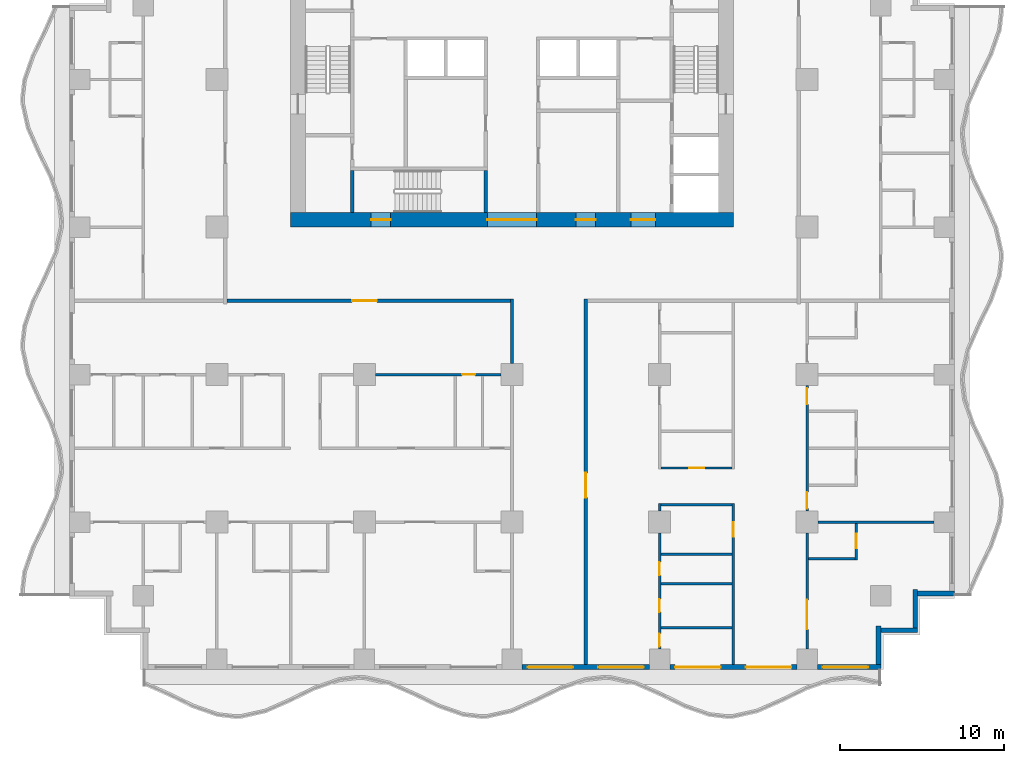
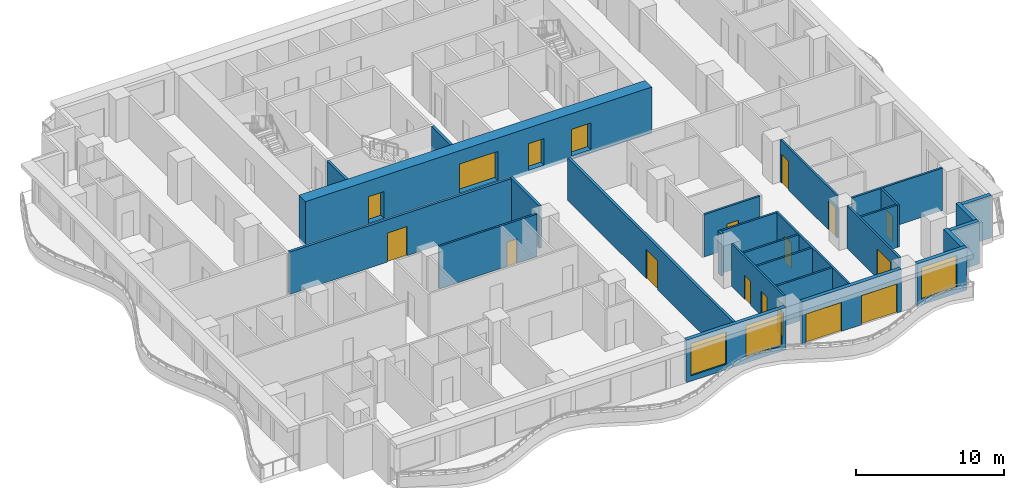
# One storey, part 3 of 14: 27 walls, 18 doors, 3 windows, 21 openings.
"""IFC4 building model written with IfcOpenShell, lengths in metres."""

from ifc_helpers import new_model, si_unit, direction, frame, frame_2d, origin, place, context, subcontext, project, spatial, rectangle, extrude, material, layer, layer_set, type_object, element, fill, save


model = new_model("IFC4")

# Units and contexts
model_context = context("Model", 3, precision=1e-05, world=origin(), true_north=direction((0.0, 1.0)))
body_context = subcontext(model_context, "Body", "Model", "MODEL_VIEW")
ifc_project = project(units=[si_unit("LENGTHUNIT", "METRE"), si_unit("AREAUNIT", "SQUARE_METRE"), si_unit("VOLUMEUNIT", "CUBIC_METRE"), si_unit("PLANEANGLEUNIT", "RADIAN"), si_unit("MASSUNIT", "GRAM", prefix="KILO")], contexts=[model_context])

# Site, building, storey
site_placement = place(None, origin())
site = spatial("IfcSite", under=ifc_project, at=site_placement, CompositionType="ELEMENT")
building_placement = place(site_placement, origin())
building = spatial("IfcBuilding", under=site, at=building_placement, Name="Orbiselva Terraces", CompositionType="ELEMENT")
storey_placement = place(building_placement, frame((0.0, 0.0, 103.6)))
storey = spatial("IfcBuildingStorey", under=building, at=storey_placement, Name="L26", CompositionType="ELEMENT", Elevation=103.6)

# Wall, openings, doors
ifc_material_1 = material(Name="Concrete C80/95", Category="concrete")
ifc_layer_1 = layer(ifc_material_1, 0.9)
ifc_layer_set_1 = layer_set([ifc_layer_1], Name="Concrete C80/95")
wall_type_1 = type_object("IfcWallType", Name="CORE WALL 900", PredefinedType="SHEAR", material=ifc_layer_set_1)
wall_1_placement = place(storey_placement, frame((-13.5, 4.95, -0.3), z_axis=(0.0, 0.0, 1.0), x_axis=(1.0, 0.0, 0.0)))
wall_1 = element("IfcWall", 1, at=wall_1_placement, inside=storey, type_object=wall_type_1, Name="Core wall L26 south", PredefinedType="SHEAR", context=body_context, shape_type="SweptSolid", body=[
    extrude(rectangle(XDim=27.0, YDim=0.9, at=frame_2d((13.5, 0.0))), origin(), (0.0, 0.0, 1.0), 3.8),
])
opening_1_placement = place(wall_1_placement, frame((12.0, 0.0, 0.3)))
opening_1 = element("IfcOpeningElement", 2, at=opening_1_placement, cuts=wall_1, Name="Opening DL3000", PredefinedType="OPENING", context=body_context, shape_type="SweptSolid", body=[
    extrude(rectangle(XDim=3.0, YDim=2.4, at=frame_2d((1.5, 1.2))), frame((0.0, 0.46, 0.0), z_axis=(0.0, -1.0, 0.0), x_axis=(1.0, 0.0, 0.0)), (0.0, 0.0, 1.0), 0.92),
])
opening_2_placement = place(wall_1_placement, frame((4.9, 0.0, 0.3)))
opening_2 = element("IfcOpeningElement", 3, at=opening_2_placement, cuts=wall_1, Name="Opening DS1200", PredefinedType="OPENING", context=body_context, shape_type="SweptSolid", body=[
    extrude(rectangle(XDim=1.2, YDim=2.2, at=frame_2d((0.6, 1.1))), frame((0.0, 0.46, 0.0), z_axis=(0.0, -1.0, 0.0), x_axis=(1.0, 0.0, 0.0)), (0.0, 0.0, 1.0), 0.92),
])
opening_3_placement = place(wall_1_placement, frame((20.75, 0.0, 0.3)))
opening_3 = element("IfcOpeningElement", 4, at=opening_3_placement, cuts=wall_1, Name="Opening DF1500", PredefinedType="OPENING", context=body_context, shape_type="SweptSolid", body=[
    extrude(rectangle(XDim=1.5, YDim=2.2, at=frame_2d((0.75, 1.1))), frame((0.0, 0.46, 0.0), z_axis=(0.0, -1.0, 0.0), x_axis=(1.0, 0.0, 0.0)), (0.0, 0.0, 1.0), 0.92),
])
opening_4_placement = place(wall_1_placement, frame((17.4, 0.0, 0.3)))
opening_4 = element("IfcOpeningElement", 5, at=opening_4_placement, cuts=wall_1, Name="Opening DV1200", PredefinedType="OPENING", context=body_context, shape_type="SweptSolid", body=[
    extrude(rectangle(XDim=1.2, YDim=2.2, at=frame_2d((0.6, 1.1))), frame((0.0, 0.46, 0.0), z_axis=(0.0, -1.0, 0.0), x_axis=(1.0, 0.0, 0.0)), (0.0, 0.0, 1.0), 0.92),
])
ifc_material_2 = material(Name="Steel fire door", Category="steel")
door_type_1 = type_object("IfcDoorType", Name="FFL DOOR 1500", OperationType="DOUBLE_DOOR_SINGLE_SWING", PredefinedType="DOOR", material=ifc_material_2)
door_1_placement = place(opening_3_placement, frame((1.5, 0.0, 0.0), z_axis=(0.0, 0.0, 1.0), x_axis=(-1.0, 0.0, 0.0)))
door_1 = element("IfcDoor", 6, at=door_1_placement, inside=storey, type_object=door_type_1, Name="L26 FIRE-FIGHTING LOBBY door", OperationType="DOUBLE_DOOR_SINGLE_SWING", OverallHeight=2.2, OverallWidth=1.5, PredefinedType="DOOR", context=body_context, shape_type="SweptSolid", body=[
    extrude(rectangle(XDim=1.5, YDim=2.2, at=frame_2d((0.75, 1.1))), frame((0.0, 0.025, 0.0), z_axis=(0.0, -1.0, 0.0), x_axis=(1.0, 0.0, 0.0)), (0.0, 0.0, 1.0), 0.05),
])
fill(opening_3, door_1)
door_type_2 = type_object("IfcDoorType", Name="LOBBY DOOR 3000", OperationType="DOUBLE_DOOR_SINGLE_SWING", PredefinedType="DOOR", material=ifc_material_2)
door_2_placement = place(opening_1_placement, frame((3.0, 0.0, 0.0), z_axis=(0.0, 0.0, 1.0), x_axis=(-1.0, 0.0, 0.0)))
door_2 = element("IfcDoor", 7, at=door_2_placement, inside=storey, type_object=door_type_2, Name="L26 LIFT LOBBY door", OperationType="DOUBLE_DOOR_SINGLE_SWING", OverallHeight=2.4, OverallWidth=3.0, PredefinedType="DOOR", context=body_context, shape_type="SweptSolid", body=[
    extrude(rectangle(XDim=3.0, YDim=2.4, at=frame_2d((1.5, 1.2))), frame((0.0, 0.025, 0.0), z_axis=(0.0, -1.0, 0.0), x_axis=(1.0, 0.0, 0.0)), (0.0, 0.0, 1.0), 0.05),
])
fill(opening_1, door_2)
door_type_3 = type_object("IfcDoorType", Name="SERVICE DOOR 1200", OperationType="NOTDEFINED", PredefinedType="DOOR", material=ifc_material_2)
door_3_placement = place(opening_4_placement, frame((1.2, 0.0, 0.0), z_axis=(0.0, 0.0, 1.0), x_axis=(-1.0, 0.0, 0.0)))
door_3 = element("IfcDoor", 8, at=door_3_placement, inside=storey, type_object=door_type_3, Name="L26 SERVICE ROOM door", OperationType="SINGLE_SWING_RIGHT", OverallHeight=2.2, OverallWidth=1.2, PredefinedType="DOOR", context=body_context, shape_type="SweptSolid", body=[
    extrude(rectangle(XDim=1.2, YDim=2.2, at=frame_2d((0.6, 1.1))), frame((0.0, 0.025, 0.0), z_axis=(0.0, -1.0, 0.0), x_axis=(1.0, 0.0, 0.0)), (0.0, 0.0, 1.0), 0.05),
])
fill(opening_4, door_3)
door_type_4 = type_object("IfcDoorType", Name="STAIR DOOR 1200", OperationType="NOTDEFINED", PredefinedType="DOOR", material=ifc_material_2)
door_4_placement = place(opening_2_placement, frame((1.2, 0.0, 0.0), z_axis=(0.0, 0.0, 1.0), x_axis=(-1.0, 0.0, 0.0)))
door_4 = element("IfcDoor", 9, at=door_4_placement, inside=storey, type_object=door_type_4, Name="L26 EXIT STAIR S3 door", OperationType="SINGLE_SWING_LEFT", OverallHeight=2.2, OverallWidth=1.2, PredefinedType="DOOR", context=body_context, shape_type="SweptSolid", body=[
    extrude(rectangle(XDim=1.2, YDim=2.2, at=frame_2d((0.6, 1.1))), frame((0.0, 0.025, 0.0), z_axis=(0.0, -1.0, 0.0), x_axis=(1.0, 0.0, 0.0)), (0.0, 0.0, 1.0), 0.05),
])
fill(opening_2, door_4)

# Walls
ifc_material_3 = material(Name="Concrete C60/75", Category="concrete")
ifc_layer_2 = layer(ifc_material_3, 0.2)
ifc_layer_set_2 = layer_set([ifc_layer_2], Name="Concrete C60/75")
wall_type_2 = type_object("IfcWallType", Name="CORE-WALL-SHEAR-200", PredefinedType="SHEAR", material=ifc_layer_set_2)
for number, where, z_axis, x_axis, name in (
    (10, (-9.75, 5.4, 0.0), (0.0, 0.0, 1.0), (0.0, 1.0, 0.0), "L26 core wall 03"),
    (11, (-1.6, 5.4, 0.0), (0.0, 0.0, 1.0), (0.0, 1.0, 0.0), "L26 core wall 19"),
):
    element("IfcWall", number, at=place(storey_placement, frame(where, z_axis=z_axis, x_axis=x_axis)), inside=storey, type_object=wall_type_2, Name=name, PredefinedType="SHEAR", context=body_context, shape_type="SweptSolid", body=[
        extrude(rectangle(XDim=2.55, YDim=0.2, at=frame_2d((1.275, 0.0))), origin(), (0.0, 0.0, 1.0), 3.5),
    ])

# Wall, openings, windows
ifc_material_4 = material(Name="Terracotta cladding on masonry backing", Category="masonry")
ifc_layer_3 = layer(ifc_material_4, 0.3)
ifc_layer_set_3 = layer_set([ifc_layer_3], Name="Terracotta cladding on masonry backing")
wall_type_3 = type_object("IfcWallType", Name="ENV-WALL-TERRACOTTA-300", PredefinedType="SOLIDWALL", material=ifc_layer_set_3)
wall_2_placement = place(storey_placement, frame((8.375, -22.35, 0.0), z_axis=(0.0, 0.0, 1.0), x_axis=(-1.0, 0.0, 0.0)))
wall_2 = element("IfcWall", 12, at=wall_2_placement, inside=storey, type_object=wall_type_3, Name="Facade wall L26 S", PredefinedType="SOLIDWALL", context=body_context, shape_type="SweptSolid", body=[
    extrude(rectangle(XDim=7.75, YDim=0.3, at=frame_2d((3.875, 0.0))), origin(), (0.0, 0.0, 1.0), 3.5),
])
opening_5_placement = place(wall_2_placement, frame((4.65, 0.0, 0.45)))
opening_5 = element("IfcOpeningElement", 13, at=opening_5_placement, cuts=wall_2, Name="Opening WN6", PredefinedType="OPENING", context=body_context, shape_type="SweptSolid", body=[
    extrude(rectangle(XDim=2.775, YDim=2.65, at=frame_2d((1.3875, 1.325))), frame((0.0, 0.16, 0.0), z_axis=(0.0, -1.0, 0.0), x_axis=(1.0, 0.0, 0.0)), (0.0, 0.0, 1.0), 0.32),
])
opening_6_placement = place(wall_2_placement, frame((0.325, 0.0, 0.45)))
opening_6 = element("IfcOpeningElement", 14, at=opening_6_placement, cuts=wall_2, Name="Opening WN6", PredefinedType="OPENING", context=body_context, shape_type="SweptSolid", body=[
    extrude(rectangle(XDim=2.775, YDim=2.65, at=frame_2d((1.3875, 1.325))), frame((0.0, 0.16, 0.0), z_axis=(0.0, -1.0, 0.0), x_axis=(1.0, 0.0, 0.0)), (0.0, 0.0, 1.0), 0.32),
])
ifc_material_5 = material(Name="Clear low-e glazing in aluminium frame", Category="aluminium")
window_type = type_object("IfcWindowType", Name="WINDOW 2775 X 2650 S450", PartitioningType="TRIPLE_PANEL_VERTICAL", PredefinedType="WINDOW", material=ifc_material_5)
window_1_placement = place(opening_5_placement, origin())
window_1 = element("IfcWindow", 15, at=window_1_placement, inside=storey, type_object=window_type, Name="Window L26 S", OverallHeight=2.65, OverallWidth=2.775, PartitioningType="SINGLE_PANEL", PredefinedType="WINDOW", context=body_context, shape_type="SweptSolid", body=[
    extrude(rectangle(XDim=2.775, YDim=2.65, at=frame_2d((1.3875, 1.325))), frame((0.0, 0.03, 0.0), z_axis=(0.0, -1.0, 0.0), x_axis=(1.0, 0.0, 0.0)), (0.0, 0.0, 1.0), 0.06),
])
fill(opening_5, window_1)
window_2_placement = place(opening_6_placement, origin())
window_2 = element("IfcWindow", 16, at=window_2_placement, inside=storey, type_object=window_type, Name="Window L26 S", OverallHeight=2.65, OverallWidth=2.775, PartitioningType="SINGLE_PANEL", PredefinedType="WINDOW", context=body_context, shape_type="SweptSolid", body=[
    extrude(rectangle(XDim=2.775, YDim=2.65, at=frame_2d((1.3875, 1.325))), frame((0.0, 0.03, 0.0), z_axis=(0.0, -1.0, 0.0), x_axis=(1.0, 0.0, 0.0)), (0.0, 0.0, 1.0), 0.06),
])
fill(opening_6, window_2)

# Wall, openings, doors
wall_3_placement = place(storey_placement, frame((17.375, -22.35, 0.0), z_axis=(0.0, 0.0, 1.0), x_axis=(-1.0, 0.0, 0.0)))
wall_3 = element("IfcWall", 17, at=wall_3_placement, inside=storey, type_object=wall_type_3, Name="Facade wall L26 S", PredefinedType="SOLIDWALL", context=body_context, shape_type="SweptSolid", body=[
    extrude(rectangle(XDim=7.75, YDim=0.3, at=frame_2d((3.875, 0.0))), origin(), (0.0, 0.0, 1.0), 3.5),
])
opening_7_placement = place(wall_3_placement, frame((4.65, 0.0, 0.0)))
opening_7 = element("IfcOpeningElement", 18, at=opening_7_placement, cuts=wall_3, Name="Opening Z2-D-E03", PredefinedType="OPENING", context=body_context, shape_type="SweptSolid", body=[
    extrude(rectangle(XDim=2.775, YDim=2.4, at=frame_2d((1.3875, 1.2))), frame((0.0, 0.16, 0.0), z_axis=(0.0, -1.0, 0.0), x_axis=(1.0, 0.0, 0.0)), (0.0, 0.0, 1.0), 0.32),
])
opening_8_placement = place(wall_3_placement, frame((0.325, 0.0, 0.0)))
opening_8 = element("IfcOpeningElement", 19, at=opening_8_placement, cuts=wall_3, Name="Opening Z2-D-E04", PredefinedType="OPENING", context=body_context, shape_type="SweptSolid", body=[
    extrude(rectangle(XDim=2.775, YDim=2.4, at=frame_2d((1.3875, 1.2))), frame((0.0, 0.16, 0.0), z_axis=(0.0, -1.0, 0.0), x_axis=(1.0, 0.0, 0.0)), (0.0, 0.0, 1.0), 0.32),
])
door_type_5 = type_object("IfcDoorType", Name="BALCONY DOOR 2775 X 2400", OperationType="DOUBLE_DOOR_SLIDING", PredefinedType="DOOR", material=ifc_material_5)
door_5_placement = place(opening_7_placement, origin())
door_5 = element("IfcDoor", 20, at=door_5_placement, inside=storey, type_object=door_type_5, Name="Z2-D-E03", OperationType="SINGLE_SWING_LEFT", OverallHeight=2.4, OverallWidth=2.775, PredefinedType="DOOR", context=body_context, shape_type="SweptSolid", body=[
    extrude(rectangle(XDim=2.775, YDim=2.4, at=frame_2d((1.3875, 1.2))), frame((0.0, 0.025, 0.0), z_axis=(0.0, -1.0, 0.0), x_axis=(1.0, 0.0, 0.0)), (0.0, 0.0, 1.0), 0.05),
])
fill(opening_7, door_5)
door_6_placement = place(opening_8_placement, origin())
door_6 = element("IfcDoor", 21, at=door_6_placement, inside=storey, type_object=door_type_5, Name="Z2-D-E04", OperationType="SINGLE_SWING_LEFT", OverallHeight=2.4, OverallWidth=2.775, PredefinedType="DOOR", context=body_context, shape_type="SweptSolid", body=[
    extrude(rectangle(XDim=2.775, YDim=2.4, at=frame_2d((1.3875, 1.2))), frame((0.0, 0.025, 0.0), z_axis=(0.0, -1.0, 0.0), x_axis=(1.0, 0.0, 0.0)), (0.0, 0.0, 1.0), 0.05),
])
fill(opening_8, door_6)

# Wall, opening, window
wall_4_placement = place(storey_placement, frame((22.5, -22.35, 0.0), z_axis=(0.0, 0.0, 1.0), x_axis=(-1.0, 0.0, 0.0)))
wall_4 = element("IfcWall", 22, at=wall_4_placement, inside=storey, type_object=wall_type_3, Name="Facade wall L26 S", PredefinedType="SOLIDWALL", context=body_context, shape_type="SweptSolid", body=[
    extrude(rectangle(XDim=3.875, YDim=0.3, at=frame_2d((1.9375, 0.0))), origin(), (0.0, 0.0, 1.0), 3.5),
])
opening_9_placement = place(wall_4_placement, frame((0.775, 0.0, 0.45)))
opening_9 = element("IfcOpeningElement", 23, at=opening_9_placement, cuts=wall_4, Name="Opening WN6", PredefinedType="OPENING", context=body_context, shape_type="SweptSolid", body=[
    extrude(rectangle(XDim=2.775, YDim=2.65, at=frame_2d((1.3875, 1.325))), frame((0.0, 0.16, 0.0), z_axis=(0.0, -1.0, 0.0), x_axis=(1.0, 0.0, 0.0)), (0.0, 0.0, 1.0), 0.32),
])
window_3_placement = place(opening_9_placement, origin())
window_3 = element("IfcWindow", 24, at=window_3_placement, inside=storey, type_object=window_type, Name="Window L26 S", OverallHeight=2.65, OverallWidth=2.775, PartitioningType="SINGLE_PANEL", PredefinedType="WINDOW", context=body_context, shape_type="SweptSolid", body=[
    extrude(rectangle(XDim=2.775, YDim=2.65, at=frame_2d((1.3875, 1.325))), frame((0.0, 0.03, 0.0), z_axis=(0.0, -1.0, 0.0), x_axis=(1.0, 0.0, 0.0)), (0.0, 0.0, 1.0), 0.06),
])
fill(opening_9, window_3)

# Walls
wall_5_placement = place(storey_placement, frame((22.35, -19.85, 0.0), z_axis=(0.0, 0.0, 1.0), x_axis=(0.0, -1.0, 0.0)))
element("IfcWall", 25, at=wall_5_placement, inside=storey, type_object=wall_type_3, Name="Facade wall L26 STEP", PredefinedType="SOLIDWALL", context=body_context, shape_type="SweptSolid", body=[
    extrude(rectangle(XDim=2.35, YDim=0.3, at=frame_2d((1.175, 0.0))), origin(), (0.0, 0.0, 1.0), 3.5),
])
wall_6_placement = place(storey_placement, frame((24.75, -20.1, 0.0), z_axis=(0.0, 0.0, 1.0), x_axis=(-1.0, 0.0, 0.0)))
element("IfcWall", 26, at=wall_6_placement, inside=storey, type_object=wall_type_3, Name="Facade wall L26 STEP", PredefinedType="SOLIDWALL", context=body_context, shape_type="SweptSolid", body=[
    extrude(rectangle(XDim=2.25, YDim=0.3, at=frame_2d((1.125, 0.0))), origin(), (0.0, 0.0, 1.0), 3.5),
])
wall_7_placement = place(storey_placement, frame((24.6, -17.6, 0.0), z_axis=(0.0, 0.0, 1.0), x_axis=(0.0, -1.0, 0.0)))
element("IfcWall", 27, at=wall_7_placement, inside=storey, type_object=wall_type_3, Name="Facade wall L26 STEP", PredefinedType="SOLIDWALL", context=body_context, shape_type="SweptSolid", body=[
    extrude(rectangle(XDim=2.35, YDim=0.3, at=frame_2d((1.175, 0.0))), origin(), (0.0, 0.0, 1.0), 3.5),
])
wall_8_placement = place(storey_placement, frame((27.0, -17.85, 0.0), z_axis=(0.0, 0.0, 1.0), x_axis=(-1.0, 0.0, 0.0)))
element("IfcWall", 28, at=wall_8_placement, inside=storey, type_object=wall_type_3, Name="Facade wall L26 STEP", PredefinedType="SOLIDWALL", context=body_context, shape_type="SweptSolid", body=[
    extrude(rectangle(XDim=2.25, YDim=0.3, at=frame_2d((1.125, 0.0))), origin(), (0.0, 0.0, 1.0), 3.5),
])

# Wall, opening, door
ifc_material_6 = material(Name="Plasterboard on steel stud partition", Category="steel")
ifc_layer_4 = layer(ifc_material_6, 0.2)
ifc_layer_set_4 = layer_set([ifc_layer_4], Name="Plasterboard on steel stud partition")
wall_type_4 = type_object("IfcWallType", Name="UNIT-ENTRANCE-WALL-200", PredefinedType="PARTITIONING", material=ifc_layer_set_4)
wall_9_placement = place(storey_placement, frame((-0.1, 0.0, 0.0), z_axis=(0.0, 0.0, 1.0), x_axis=(-1.0, 0.0, 0.0)))
wall_9 = element("IfcWall", 29, at=wall_9_placement, inside=storey, type_object=wall_type_4, Name="PARTITION L26-029", PredefinedType="PARTITIONING", context=body_context, shape_type="SweptSolid", body=[
    extrude(rectangle(XDim=17.3, YDim=0.2, at=frame_2d((8.65, 0.0))), origin(), (0.0, 0.0, 1.0), 3.5),
])
opening_10_placement = place(wall_9_placement, frame((8.15, 0.0, 0.0)))
opening_10 = element("IfcOpeningElement", 30, at=opening_10_placement, cuts=wall_9, Name="Opening Z2-D-15", PredefinedType="OPENING", context=body_context, shape_type="SweptSolid", body=[
    extrude(rectangle(XDim=1.5, YDim=2.4, at=frame_2d((0.75, 1.2))), frame((0.0, 0.11, 0.0), z_axis=(0.0, -1.0, 0.0), x_axis=(1.0, 0.0, 0.0)), (0.0, 0.0, 1.0), 0.22),
])
ifc_material_7 = material(Name="Painted timber door leaf", Category="wood")
door_type_6 = type_object("IfcDoorType", Name="ENTRANCE DOUBLE DOOR 1500", OperationType="NOTDEFINED", PredefinedType="DOOR", material=ifc_material_7)
door_7_placement = place(opening_10_placement, origin())
door_7 = element("IfcDoor", 31, at=door_7_placement, inside=storey, type_object=door_type_6, Name="Z2-D-15", OperationType="DOUBLE_DOOR_SINGLE_SWING", OverallHeight=2.4, OverallWidth=1.5, PredefinedType="DOOR", context=body_context, shape_type="SweptSolid", body=[
    extrude(rectangle(XDim=1.5, YDim=2.4, at=frame_2d((0.75, 1.2))), frame((0.0, 0.025, 0.0), z_axis=(0.0, -1.0, 0.0), x_axis=(1.0, 0.0, 0.0)), (0.0, 0.0, 1.0), 0.05),
])
fill(opening_10, door_7)

# Wall
wall_10_placement = place(storey_placement, frame((0.0, -3.825, 0.0), z_axis=(0.0, 0.0, 1.0), x_axis=(0.0, 1.0, 0.0)))
element("IfcWall", 32, at=wall_10_placement, inside=storey, type_object=wall_type_4, Name="PARTITION L26-071", PredefinedType="PARTITIONING", context=body_context, shape_type="SweptSolid", body=[
    extrude(rectangle(XDim=3.925, YDim=0.2, at=frame_2d((1.9625, 0.0))), origin(), (0.0, 0.0, 1.0), 3.5),
])

# Wall, opening, door
wall_11_placement = place(storey_placement, frame((4.5, 0.1, 0.0), z_axis=(0.0, 0.0, 1.0), x_axis=(0.0, -1.0, 0.0)))
wall_11 = element("IfcWall", 33, at=wall_11_placement, inside=storey, type_object=wall_type_4, Name="PARTITION L26-072", PredefinedType="PARTITIONING", context=body_context, shape_type="SweptSolid", body=[
    extrude(rectangle(XDim=22.3, YDim=0.2, at=frame_2d((11.15, 0.0))), origin(), (0.0, 0.0, 1.0), 3.5),
])
opening_11_placement = place(wall_11_placement, frame((10.6, 0.0, 0.0)))
opening_11 = element("IfcOpeningElement", 34, at=opening_11_placement, cuts=wall_11, Name="Opening Z2-D-34", PredefinedType="OPENING", context=body_context, shape_type="SweptSolid", body=[
    extrude(rectangle(XDim=1.5, YDim=2.4, at=frame_2d((0.75, 1.2))), frame((0.0, 0.11, 0.0), z_axis=(0.0, -1.0, 0.0), x_axis=(1.0, 0.0, 0.0)), (0.0, 0.0, 1.0), 0.22),
])
door_8_placement = place(opening_11_placement, origin())
door_8 = element("IfcDoor", 35, at=door_8_placement, inside=storey, type_object=door_type_6, Name="Z2-D-34", OperationType="DOUBLE_DOOR_SINGLE_SWING", OverallHeight=2.4, OverallWidth=1.5, PredefinedType="DOOR", context=body_context, shape_type="SweptSolid", body=[
    extrude(rectangle(XDim=1.5, YDim=2.4, at=frame_2d((0.75, 1.2))), frame((0.0, 0.025, 0.0), z_axis=(0.0, -1.0, 0.0), x_axis=(1.0, 0.0, 0.0)), (0.0, 0.0, 1.0), 0.05),
])
fill(opening_11, door_8)

# Walls
ifc_layer_5 = layer(ifc_material_6, 0.15)
ifc_layer_set_5 = layer_set([ifc_layer_5], Name="Plasterboard on steel stud partition")
wall_type_5 = type_object("IfcWallType", Name="UNIT-PARTITION-150", PredefinedType="PARTITIONING", material=ifc_layer_set_5)
for number, where, z_axis, x_axis, name in (
    (36, (9.075, -19.95, 0.0), (0.0, 0.0, 1.0), (1.0, 0.0, 0.0), "PARTITION L26-001"),
    (37, (9.075, -17.25, 0.0), (0.0, 0.0, 1.0), (1.0, 0.0, 0.0), "PARTITION L26-002"),
):
    element("IfcWall", number, at=place(storey_placement, frame(where, z_axis=z_axis, x_axis=x_axis)), inside=storey, type_object=wall_type_5, Name=name, PredefinedType="PARTITIONING", context=body_context, shape_type="SweptSolid", body=[
        extrude(rectangle(XDim=4.35, YDim=0.15, at=frame_2d((2.175, 0.0))), origin(), (0.0, 0.0, 1.0), 3.5),
    ])
wall_12_placement = place(storey_placement, frame((18.075, -15.75, 0.0), z_axis=(0.0, 0.0, 1.0), x_axis=(1.0, 0.0, 0.0)))
element("IfcWall", 38, at=wall_12_placement, inside=storey, type_object=wall_type_5, Name="PARTITION L26-007", PredefinedType="PARTITIONING", context=body_context, shape_type="SweptSolid", body=[
    extrude(rectangle(XDim=2.85, YDim=0.15, at=frame_2d((1.425, 0.0))), origin(), (0.0, 0.0, 1.0), 3.5),
])
wall_13_placement = place(storey_placement, frame((9.075, -15.45, 0.0), z_axis=(0.0, 0.0, 1.0), x_axis=(1.0, 0.0, 0.0)))
element("IfcWall", 39, at=wall_13_placement, inside=storey, type_object=wall_type_5, Name="PARTITION L26-008", PredefinedType="PARTITIONING", context=body_context, shape_type="SweptSolid", body=[
    extrude(rectangle(XDim=4.35, YDim=0.15, at=frame_2d((2.175, 0.0))), origin(), (0.0, 0.0, 1.0), 3.5),
])
wall_14_placement = place(storey_placement, frame((18.675, -13.5, 0.0), z_axis=(0.0, 0.0, 1.0), x_axis=(1.0, 0.0, 0.0)))
element("IfcWall", 40, at=wall_14_placement, inside=storey, type_object=wall_type_5, Name="PARTITION L26-012", PredefinedType="PARTITIONING", context=body_context, shape_type="SweptSolid", body=[
    extrude(rectangle(XDim=7.075, YDim=0.15, at=frame_2d((3.5375, 0.0))), origin(), (0.0, 0.0, 1.0), 3.5),
])
wall_15_placement = place(storey_placement, frame((9.075, -12.45, 0.0), z_axis=(0.0, 0.0, 1.0), x_axis=(1.0, 0.0, 0.0)))
element("IfcWall", 41, at=wall_15_placement, inside=storey, type_object=wall_type_5, Name="PARTITION L26-013", PredefinedType="PARTITIONING", context=body_context, shape_type="SweptSolid", body=[
    extrude(rectangle(XDim=4.35, YDim=0.15, at=frame_2d((2.175, 0.0))), origin(), (0.0, 0.0, 1.0), 3.5),
])

# Wall, opening, door
wall_16_placement = place(storey_placement, frame((9.075, -10.2, 0.0), z_axis=(0.0, 0.0, 1.0), x_axis=(1.0, 0.0, 0.0)))
wall_16 = element("IfcWall", 42, at=wall_16_placement, inside=storey, type_object=wall_type_5, Name="PARTITION L26-015", PredefinedType="PARTITIONING", context=body_context, shape_type="SweptSolid", body=[
    extrude(rectangle(XDim=4.35, YDim=0.15, at=frame_2d((2.175, 0.0))), origin(), (0.0, 0.0, 1.0), 3.5),
])
opening_12_placement = place(wall_16_placement, frame((1.75, 0.0, 0.0)))
opening_12 = element("IfcOpeningElement", 43, at=opening_12_placement, cuts=wall_16, Name="Opening Z2-D-37", PredefinedType="OPENING", context=body_context, shape_type="SweptSolid", body=[
    extrude(rectangle(XDim=0.9, YDim=2.1, at=frame_2d((0.45, 1.05))), frame((0.0, 0.085, 0.0), z_axis=(0.0, -1.0, 0.0), x_axis=(1.0, 0.0, 0.0)), (0.0, 0.0, 1.0), 0.17),
])
door_type_7 = type_object("IfcDoorType", Name="BATH DOOR 900", OperationType="NOTDEFINED", PredefinedType="DOOR", material=ifc_material_7)
door_9_placement = place(opening_12_placement, origin())
door_9 = element("IfcDoor", 44, at=door_9_placement, inside=storey, type_object=door_type_7, Name="Z2-D-37", OperationType="SINGLE_SWING_RIGHT", OverallHeight=2.1, OverallWidth=0.9, PredefinedType="DOOR", context=body_context, shape_type="SweptSolid", body=[
    extrude(rectangle(XDim=0.9, YDim=2.1, at=frame_2d((0.45, 1.05))), frame((0.0, 0.025, 0.0), z_axis=(0.0, -1.0, 0.0), x_axis=(1.0, 0.0, 0.0)), (0.0, 0.0, 1.0), 0.05),
])
fill(opening_12, door_9)

wall_17_placement = place(storey_placement, frame((-0.675, -4.5, 0.0), z_axis=(0.0, 0.0, 1.0), x_axis=(-1.0, 0.0, 0.0)))
wall_17 = element("IfcWall", 45, at=wall_17_placement, inside=storey, type_object=wall_type_5, Name="PARTITION L26-025", PredefinedType="PARTITIONING", context=body_context, shape_type="SweptSolid", body=[
    extrude(rectangle(XDim=7.65, YDim=0.15, at=frame_2d((3.825, 0.0))), origin(), (0.0, 0.0, 1.0), 3.5),
])
opening_13_placement = place(wall_17_placement, frame((1.575, 0.0, 0.0)))
opening_13 = element("IfcOpeningElement", 46, at=opening_13_placement, cuts=wall_17, Name="Opening Z2-D-17", PredefinedType="OPENING", context=body_context, shape_type="SweptSolid", body=[
    extrude(rectangle(XDim=0.8, YDim=2.0, at=frame_2d((0.4, 1.0))), frame((0.0, 0.085, 0.0), z_axis=(0.0, -1.0, 0.0), x_axis=(1.0, 0.0, 0.0)), (0.0, 0.0, 1.0), 0.17),
])
door_type_8 = type_object("IfcDoorType", Name="STORE DOOR 800", OperationType="NOTDEFINED", PredefinedType="DOOR", material=ifc_material_7)
door_10_placement = place(opening_13_placement, origin())
door_10 = element("IfcDoor", 47, at=door_10_placement, inside=storey, type_object=door_type_8, Name="Z2-D-17", OperationType="SINGLE_SWING_LEFT", OverallHeight=2.0, OverallWidth=0.8, PredefinedType="DOOR", context=body_context, shape_type="SweptSolid", body=[
    extrude(rectangle(XDim=0.8, YDim=2.0, at=frame_2d((0.4, 1.0))), frame((0.0, 0.025, 0.0), z_axis=(0.0, -1.0, 0.0), x_axis=(1.0, 0.0, 0.0)), (0.0, 0.0, 1.0), 0.05),
])
fill(opening_13, door_10)

# Wall, openings, doors
wall_18_placement = place(storey_placement, frame((9.0, -14.175, 0.0), z_axis=(0.0, 0.0, 1.0), x_axis=(0.0, -1.0, 0.0)))
wall_18 = element("IfcWall", 48, at=wall_18_placement, inside=storey, type_object=wall_type_5, Name="PARTITION L26-073", PredefinedType="PARTITIONING", context=body_context, shape_type="SweptSolid", body=[
    extrude(rectangle(XDim=7.075, YDim=0.15, at=frame_2d((3.5375, 0.0))), origin(), (0.0, 0.0, 1.0), 3.5),
])
opening_14_placement = place(wall_18_placement, frame((1.775, 0.0, 0.0)))
opening_14 = element("IfcOpeningElement", 49, at=opening_14_placement, cuts=wall_18, Name="Opening Z2-D-39", PredefinedType="OPENING", context=body_context, shape_type="SweptSolid", body=[
    extrude(rectangle(XDim=0.8, YDim=2.0, at=frame_2d((0.4, 1.0))), frame((0.0, 0.085, 0.0), z_axis=(0.0, -1.0, 0.0), x_axis=(1.0, 0.0, 0.0)), (0.0, 0.0, 1.0), 0.17),
])
opening_15_placement = place(wall_18_placement, frame((4.025, 0.0, 0.0)))
opening_15 = element("IfcOpeningElement", 50, at=opening_15_placement, cuts=wall_18, Name="Opening Z2-D-40", PredefinedType="OPENING", context=body_context, shape_type="SweptSolid", body=[
    extrude(rectangle(XDim=0.8, YDim=2.0, at=frame_2d((0.4, 1.0))), frame((0.0, 0.085, 0.0), z_axis=(0.0, -1.0, 0.0), x_axis=(1.0, 0.0, 0.0)), (0.0, 0.0, 1.0), 0.17),
])
opening_16_placement = place(wall_18_placement, frame((6.125, 0.0, 0.0)))
opening_16 = element("IfcOpeningElement", 51, at=opening_16_placement, cuts=wall_18, Name="Opening Z2-D-41", PredefinedType="OPENING", context=body_context, shape_type="SweptSolid", body=[
    extrude(rectangle(XDim=0.8, YDim=2.0, at=frame_2d((0.4, 1.0))), frame((0.0, 0.085, 0.0), z_axis=(0.0, -1.0, 0.0), x_axis=(1.0, 0.0, 0.0)), (0.0, 0.0, 1.0), 0.17),
])
door_11_placement = place(opening_14_placement, origin())
door_11 = element("IfcDoor", 52, at=door_11_placement, inside=storey, type_object=door_type_8, Name="Z2-D-39", OperationType="SINGLE_SWING_LEFT", OverallHeight=2.0, OverallWidth=0.8, PredefinedType="DOOR", context=body_context, shape_type="SweptSolid", body=[
    extrude(rectangle(XDim=0.8, YDim=2.0, at=frame_2d((0.4, 1.0))), frame((0.0, 0.025, 0.0), z_axis=(0.0, -1.0, 0.0), x_axis=(1.0, 0.0, 0.0)), (0.0, 0.0, 1.0), 0.05),
])
fill(opening_14, door_11)
door_12_placement = place(opening_15_placement, origin())
door_12 = element("IfcDoor", 53, at=door_12_placement, inside=storey, type_object=door_type_8, Name="Z2-D-40", OperationType="SINGLE_SWING_RIGHT", OverallHeight=2.0, OverallWidth=0.8, PredefinedType="DOOR", context=body_context, shape_type="SweptSolid", body=[
    extrude(rectangle(XDim=0.8, YDim=2.0, at=frame_2d((0.4, 1.0))), frame((0.0, 0.025, 0.0), z_axis=(0.0, -1.0, 0.0), x_axis=(1.0, 0.0, 0.0)), (0.0, 0.0, 1.0), 0.05),
])
fill(opening_15, door_12)
door_13_placement = place(opening_16_placement, origin())
door_13 = element("IfcDoor", 54, at=door_13_placement, inside=storey, type_object=door_type_8, Name="Z2-D-41", OperationType="SINGLE_SWING_RIGHT", OverallHeight=2.0, OverallWidth=0.8, PredefinedType="DOOR", context=body_context, shape_type="SweptSolid", body=[
    extrude(rectangle(XDim=0.8, YDim=2.0, at=frame_2d((0.4, 1.0))), frame((0.0, 0.025, 0.0), z_axis=(0.0, -1.0, 0.0), x_axis=(1.0, 0.0, 0.0)), (0.0, 0.0, 1.0), 0.05),
])
fill(opening_16, door_13)

# Wall
wall_19_placement = place(storey_placement, frame((9.0, -12.825, 0.0), z_axis=(0.0, 0.0, 1.0), x_axis=(0.0, 1.0, 0.0)))
element("IfcWall", 55, at=wall_19_placement, inside=storey, type_object=wall_type_5, Name="PARTITION L26-074", PredefinedType="PARTITIONING", context=body_context, shape_type="SweptSolid", body=[
    extrude(rectangle(XDim=0.45, YDim=0.15, at=frame_2d((0.225, 0.0))), origin(), (0.0, 0.0, 1.0), 3.5),
])

# Wall, opening, door
wall_20_placement = place(storey_placement, frame((13.5, -22.2, 0.0), z_axis=(0.0, 0.0, 1.0), x_axis=(0.0, 1.0, 0.0)))
wall_20 = element("IfcWall", 56, at=wall_20_placement, inside=storey, type_object=wall_type_5, Name="PARTITION L26-077", PredefinedType="PARTITIONING", context=body_context, shape_type="SweptSolid", body=[
    extrude(rectangle(XDim=9.825, YDim=0.15, at=frame_2d((4.9125, 0.0))), origin(), (0.0, 0.0, 1.0), 3.5),
])
opening_17_placement = place(wall_20_placement, frame((7.8, 0.0, 0.0)))
opening_17 = element("IfcOpeningElement", 57, at=opening_17_placement, cuts=wall_20, Name="Opening Z2-D-38", PredefinedType="OPENING", context=body_context, shape_type="SweptSolid", body=[
    extrude(rectangle(XDim=0.9, YDim=2.1, at=frame_2d((0.45, 1.05))), frame((0.0, 0.085, 0.0), z_axis=(0.0, -1.0, 0.0), x_axis=(1.0, 0.0, 0.0)), (0.0, 0.0, 1.0), 0.17),
])
door_type_9 = type_object("IfcDoorType", Name="SERVICE DOOR 900", OperationType="NOTDEFINED", PredefinedType="DOOR", material=ifc_material_7)
door_14_placement = place(opening_17_placement, origin())
door_14 = element("IfcDoor", 58, at=door_14_placement, inside=storey, type_object=door_type_9, Name="Z2-D-38", OperationType="SINGLE_SWING_RIGHT", OverallHeight=2.1, OverallWidth=0.9, PredefinedType="DOOR", context=body_context, shape_type="SweptSolid", body=[
    extrude(rectangle(XDim=0.9, YDim=2.1, at=frame_2d((0.45, 1.05))), frame((0.0, 0.025, 0.0), z_axis=(0.0, -1.0, 0.0), x_axis=(1.0, 0.0, 0.0)), (0.0, 0.0, 1.0), 0.05),
])
fill(opening_17, door_14)

wall_21_placement = place(storey_placement, frame((18.0, -14.175, 0.0), z_axis=(0.0, 0.0, 1.0), x_axis=(0.0, -1.0, 0.0)))
wall_21 = element("IfcWall", 59, at=wall_21_placement, inside=storey, type_object=wall_type_5, Name="PARTITION L26-082", PredefinedType="PARTITIONING", context=body_context, shape_type="SweptSolid", body=[
    extrude(rectangle(XDim=7.075, YDim=0.15, at=frame_2d((3.5375, 0.0))), origin(), (0.0, 0.0, 1.0), 3.5),
])
opening_18_placement = place(wall_21_placement, frame((4.075, 0.0, 0.0)))
opening_18 = element("IfcOpeningElement", 60, at=opening_18_placement, cuts=wall_21, Name="Opening Z2-D-48", PredefinedType="OPENING", context=body_context, shape_type="SweptSolid", body=[
    extrude(rectangle(XDim=1.8, YDim=2.4, at=frame_2d((0.9, 1.2))), frame((0.0, 0.085, 0.0), z_axis=(0.0, -1.0, 0.0), x_axis=(1.0, 0.0, 0.0)), (0.0, 0.0, 1.0), 0.17),
])
door_type_10 = type_object("IfcDoorType", Name="DOUBLE DOOR 1800", OperationType="NOTDEFINED", PredefinedType="DOOR", material=ifc_material_7)
door_15_placement = place(opening_18_placement, origin())
door_15 = element("IfcDoor", 61, at=door_15_placement, inside=storey, type_object=door_type_10, Name="Z2-D-48", OperationType="DOUBLE_DOOR_SINGLE_SWING", OverallHeight=2.4, OverallWidth=1.8, PredefinedType="DOOR", context=body_context, shape_type="SweptSolid", body=[
    extrude(rectangle(XDim=1.8, YDim=2.4, at=frame_2d((0.9, 1.2))), frame((0.0, 0.025, 0.0), z_axis=(0.0, -1.0, 0.0), x_axis=(1.0, 0.0, 0.0)), (0.0, 0.0, 1.0), 0.05),
])
fill(opening_18, door_15)

# Wall, openings, doors
wall_22_placement = place(storey_placement, frame((18.0, -5.175, 0.0), z_axis=(0.0, 0.0, 1.0), x_axis=(0.0, -1.0, 0.0)))
wall_22 = element("IfcWall", 62, at=wall_22_placement, inside=storey, type_object=wall_type_5, Name="PARTITION L26-083", PredefinedType="PARTITIONING", context=body_context, shape_type="SweptSolid", body=[
    extrude(rectangle(XDim=7.65, YDim=0.15, at=frame_2d((3.825, 0.0))), origin(), (0.0, 0.0, 1.0), 3.5),
])
opening_19_placement = place(wall_22_placement, frame((0.15, 0.0, 0.0)))
opening_19 = element("IfcOpeningElement", 63, at=opening_19_placement, cuts=wall_22, Name="Opening Z2-D-44", PredefinedType="OPENING", context=body_context, shape_type="SweptSolid", body=[
    extrude(rectangle(XDim=1.0, YDim=2.4, at=frame_2d((0.5, 1.2))), frame((0.0, 0.085, 0.0), z_axis=(0.0, -1.0, 0.0), x_axis=(1.0, 0.0, 0.0)), (0.0, 0.0, 1.0), 0.17),
])
opening_20_placement = place(wall_22_placement, frame((6.5, 0.0, 0.0)))
opening_20 = element("IfcOpeningElement", 64, at=opening_20_placement, cuts=wall_22, Name="Opening Z2-D-46", PredefinedType="OPENING", context=body_context, shape_type="SweptSolid", body=[
    extrude(rectangle(XDim=1.0, YDim=2.4, at=frame_2d((0.5, 1.2))), frame((0.0, 0.085, 0.0), z_axis=(0.0, -1.0, 0.0), x_axis=(1.0, 0.0, 0.0)), (0.0, 0.0, 1.0), 0.17),
])
door_type_11 = type_object("IfcDoorType", Name="ROOM DOOR 1000", OperationType="NOTDEFINED", PredefinedType="DOOR", material=ifc_material_7)
door_16_placement = place(opening_19_placement, origin())
door_16 = element("IfcDoor", 65, at=door_16_placement, inside=storey, type_object=door_type_11, Name="Z2-D-44", OperationType="SINGLE_SWING_LEFT", OverallHeight=2.4, OverallWidth=1.0, PredefinedType="DOOR", context=body_context, shape_type="SweptSolid", body=[
    extrude(rectangle(XDim=1.0, YDim=2.4, at=frame_2d((0.5, 1.2))), frame((0.0, 0.025, 0.0), z_axis=(0.0, -1.0, 0.0), x_axis=(1.0, 0.0, 0.0)), (0.0, 0.0, 1.0), 0.05),
])
fill(opening_19, door_16)
door_17_placement = place(opening_20_placement, origin())
door_17 = element("IfcDoor", 66, at=door_17_placement, inside=storey, type_object=door_type_11, Name="Z2-D-46", OperationType="SINGLE_SWING_RIGHT", OverallHeight=2.4, OverallWidth=1.0, PredefinedType="DOOR", context=body_context, shape_type="SweptSolid", body=[
    extrude(rectangle(XDim=1.0, YDim=2.4, at=frame_2d((0.5, 1.2))), frame((0.0, 0.025, 0.0), z_axis=(0.0, -1.0, 0.0), x_axis=(1.0, 0.0, 0.0)), (0.0, 0.0, 1.0), 0.05),
])
fill(opening_20, door_17)

# Wall, opening, door
wall_23_placement = place(storey_placement, frame((21.0, -15.825, 0.0), z_axis=(0.0, 0.0, 1.0), x_axis=(0.0, 1.0, 0.0)))
wall_23 = element("IfcWall", 67, at=wall_23_placement, inside=storey, type_object=wall_type_5, Name="PARTITION L26-085", PredefinedType="PARTITIONING", context=body_context, shape_type="SweptSolid", body=[
    extrude(rectangle(XDim=2.25, YDim=0.15, at=frame_2d((1.125, 0.0))), origin(), (0.0, 0.0, 1.0), 3.5),
])
opening_21_placement = place(wall_23_placement, frame((0.725, 0.0, 0.0)))
opening_21 = element("IfcOpeningElement", 68, at=opening_21_placement, cuts=wall_23, Name="Opening Z2-D-49", PredefinedType="OPENING", context=body_context, shape_type="SweptSolid", body=[
    extrude(rectangle(XDim=0.9, YDim=2.1, at=frame_2d((0.45, 1.05))), frame((0.0, 0.085, 0.0), z_axis=(0.0, -1.0, 0.0), x_axis=(1.0, 0.0, 0.0)), (0.0, 0.0, 1.0), 0.17),
])
door_18_placement = place(opening_21_placement, origin())
door_18 = element("IfcDoor", 69, at=door_18_placement, inside=storey, type_object=door_type_7, Name="Z2-D-49", OperationType="SINGLE_SWING_RIGHT", OverallHeight=2.1, OverallWidth=0.9, PredefinedType="DOOR", context=body_context, shape_type="SweptSolid", body=[
    extrude(rectangle(XDim=0.9, YDim=2.1, at=frame_2d((0.45, 1.05))), frame((0.0, 0.025, 0.0), z_axis=(0.0, -1.0, 0.0), x_axis=(1.0, 0.0, 0.0)), (0.0, 0.0, 1.0), 0.05),
])
fill(opening_21, door_18)

save(model, "model.ifc")
